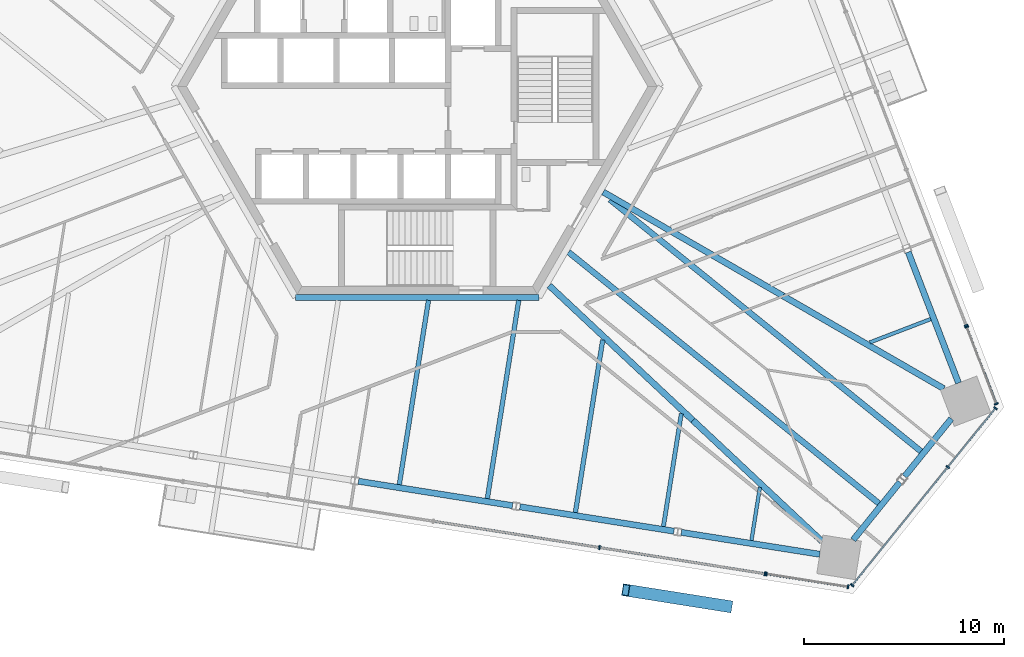
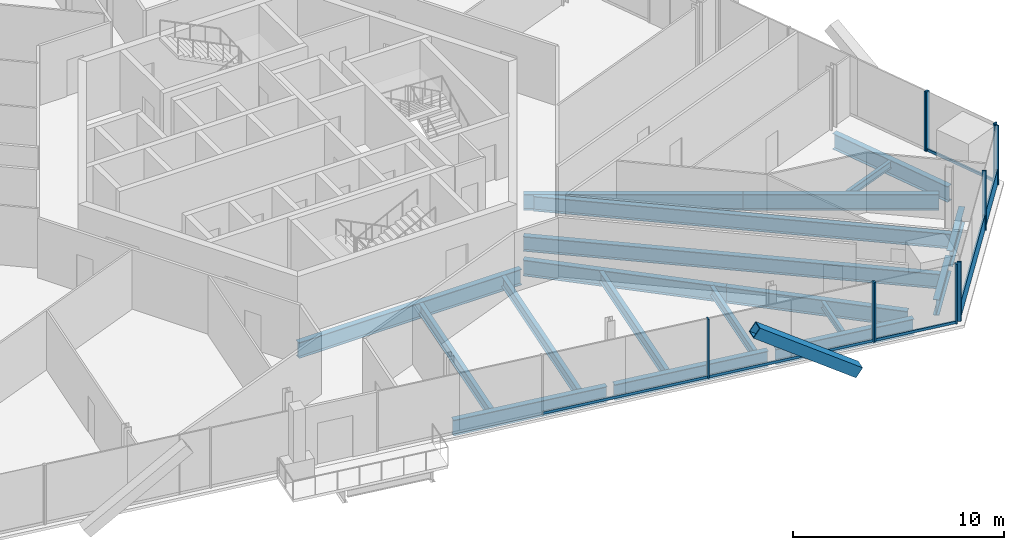
# One storey, part 6 of 19: 19 beams, 17 members, 5 elements without a shape of their own.
"""IFC4 building model written with IfcOpenShell, lengths in metres."""

import ifcopenshell
import ifcopenshell.guid

model = None  # the IFC model being written
_history = None  # IfcOwnerHistory: only IFC2X3 demands one
_inside = {}  # id of a spatial element -> (the spatial element, [elements in it])
_under = {}  # id of a project, library or spatial element -> (it, [spatial elements below it])
_declared = {}  # id of a project -> (the project, [libraries it declares])
_typed = {}  # id of a type object -> (the type object, [elements of that type])
_made_of = {}  # id of a material, layer set ... -> (it, [elements and type objects made of it])


def new_model(schema):
    """Start an empty IFC model of exactly this schema.

    Asked for "IFC4X3", IfcOpenShell would pick the latest addendum, in which some entities
    have other attributes; the version numbers below select the first issue.
    IFC2X3 requires an IfcOwnerHistory on every rooted entity: one is made here for all.
    """
    global model, _history
    if schema == "IFC4X3":
        model = ifcopenshell.file(schema_version=(4, 3, 0, 0))
    else:
        model = ifcopenshell.file(schema=schema)
    _inside.clear()
    _under.clear()
    _declared.clear()
    _typed.clear()
    _made_of.clear()
    _history = None
    if model.schema == "IFC2X3":
        org = make("IfcOrganization", Name="unknown")
        user = make(
            "IfcPersonAndOrganization",
            ThePerson=make("IfcPerson", FamilyName="unknown"),
            TheOrganization=org,
        )
        app = make(
            "IfcApplication",
            ApplicationDeveloper=org,
            Version="unknown",
            ApplicationFullName="unknown",
            ApplicationIdentifier="unknown",
        )
        _history = make(
            "IfcOwnerHistory",
            OwningUser=user,
            OwningApplication=app,
            ChangeAction="ADDED",
            CreationDate=0,
        )
    return model


def make(cls, **values):
    """One entity of the class cls with the attributes given. An attribute that is None is left unset."""
    return model.create_entity(
        cls, **{name: value for name, value in values.items() if value is not None}
    )


def rooted(cls, **values):
    """An entity with a GlobalId (a new one), such as an element, a storey or a relation."""
    return make(cls, GlobalId=ifcopenshell.guid.new(), OwnerHistory=_history, **values)


def si_unit(unit_type, name, prefix=None):
    """IfcSIUnit, for example si_unit("LENGTHUNIT", "METRE", prefix="MILLI")."""
    return make("IfcSIUnit", UnitType=unit_type, Prefix=prefix, Name=name)


def assignment(units):
    """IfcUnitAssignment: the units of a project."""
    return None if units is None else make("IfcUnitAssignment", Units=units)


def point(xyz):
    """IfcCartesianPoint."""
    return None if xyz is None else make("IfcCartesianPoint", Coordinates=xyz)


def direction(xyz):
    """IfcDirection."""
    return None if xyz is None else make("IfcDirection", DirectionRatios=xyz)


def frame(location, z_axis=None, x_axis=None):
    """IfcAxis2Placement3D, a coordinate frame: its origin and axes. An axis left out is left unset."""
    return make(
        "IfcAxis2Placement3D",
        Location=point(location),
        Axis=direction(z_axis),
        RefDirection=direction(x_axis),
    )


def frame_2d(location, x_axis=None):
    """IfcAxis2Placement2D, a coordinate frame in the plane: its origin and x axis."""
    return make(
        "IfcAxis2Placement2D", Location=point(location), RefDirection=direction(x_axis)
    )


def origin():
    """The frame at (0, 0, 0) with its axes left unset."""
    return frame((0.0, 0.0, 0.0))


def origin_2d():
    """The frame at (0, 0) in the plane with its x axis left unset."""
    return frame_2d((0.0, 0.0))


def place(relative_to, where):
    """IfcLocalPlacement: puts the frame where relative to a parent placement (None: the world)."""
    return make(
        "IfcLocalPlacement", PlacementRelTo=relative_to, RelativePlacement=where
    )


def context(
    kind, dimensions, precision=None, world=None, true_north=None, identifier=None
):
    """IfcGeometricRepresentationContext, for example the 3D "Model" context."""
    return make(
        "IfcGeometricRepresentationContext",
        ContextIdentifier=identifier,
        ContextType=kind,
        CoordinateSpaceDimension=dimensions,
        Precision=precision,
        WorldCoordinateSystem=world,
        TrueNorth=true_north,
    )


def subcontext(parent, identifier, kind, view, scale=None):
    """IfcGeometricRepresentationSubContext, for example "Body" below "Model"."""
    return make(
        "IfcGeometricRepresentationSubContext",
        ContextIdentifier=identifier,
        ContextType=kind,
        ParentContext=parent,
        TargetScale=scale,
        TargetView=view,
    )


def project(units=None, contexts=None):
    """IfcProject with its units and contexts."""
    return rooted(
        "IfcProject",
        Name="project",
        RepresentationContexts=contexts,
        UnitsInContext=assignment(units),
    )


def spatial(cls, under=None, at=None, **own):
    """A site, building, storey or space (cls), placed at a placement, below another one or the project."""
    s = rooted(cls, ObjectPlacement=at, **own)
    if under is not None:
        _under.setdefault(under.id(), (under, []))[1].append(s)
    return s


def profile(cls, at=None, kind="AREA", **sizes):
    """A parametric profile (cls). Its sizes go by their IFC names, for example OverallWidth=200.0."""
    return make(cls, ProfileType=kind, Position=at, **sizes)


def rectangle(**sizes):
    """IfcRectangleProfileDef."""
    return profile("IfcRectangleProfileDef", **sizes)


def hollow_rectangle(**sizes):
    """IfcRectangleHollowProfileDef."""
    return profile("IfcRectangleHollowProfileDef", **sizes)


def i_section(**sizes):
    """IfcIShapeProfileDef."""
    return profile("IfcIShapeProfileDef", **sizes)


def extrude(swept, where, along, depth):
    """IfcExtrudedAreaSolid: the profile swept, set in the frame where, extruded along a direction by depth."""
    return make(
        "IfcExtrudedAreaSolid",
        SweptArea=swept,
        Position=where,
        ExtrudedDirection=direction(along),
        Depth=depth,
    )


def shape(context_of_items, identifier, shape_type, items):
    """IfcShapeRepresentation: the items that make up one representation, for example the "Body"."""
    return make(
        "IfcShapeRepresentation",
        ContextOfItems=context_of_items,
        RepresentationIdentifier=identifier,
        RepresentationType=shape_type,
        Items=items,
    )


def source(mapping_origin, context_of_items, identifier, shape_type, items):
    """IfcRepresentationMap: a shape defined once, which mapped items show again and again."""
    return make(
        "IfcRepresentationMap",
        MappingOrigin=mapping_origin,
        MappedRepresentation=shape(context_of_items, identifier, shape_type, items),
    )


def transform(
    local_origin,
    x_axis=None,
    y_axis=None,
    z_axis=None,
    scale=None,
    scale2=None,
    scale3=None,
    uniform=True,
):
    """IfcCartesianTransformationOperator3D, or its non-uniform kind. x_axis, y_axis, z_axis: its Axis1, 2, 3."""
    if uniform:
        return make(
            "IfcCartesianTransformationOperator3D",
            Axis1=direction(x_axis),
            Axis2=direction(y_axis),
            LocalOrigin=point(local_origin),
            Scale=scale,
            Axis3=direction(z_axis),
        )
    return make(
        "IfcCartesianTransformationOperator3DnonUniform",
        Axis1=direction(x_axis),
        Axis2=direction(y_axis),
        LocalOrigin=point(local_origin),
        Scale=scale,
        Axis3=direction(z_axis),
        Scale2=scale2,
        Scale3=scale3,
    )


def mapped(mapping_source, mapping_target):
    """IfcMappedItem: shows the shape of a source again, moved by a transform."""
    return make(
        "IfcMappedItem", MappingSource=mapping_source, MappingTarget=mapping_target
    )


def material(Name=None, Category=None):
    """IfcMaterial."""
    return make("IfcMaterial", Name=Name, Category=Category)


def material_profile(
    of_material, cross_section, Name=None, Category=None, Priority=None
):
    """IfcMaterialProfile: a cross section and its material."""
    return make(
        "IfcMaterialProfile",
        Name=Name,
        Material=of_material,
        Profile=cross_section,
        Priority=Priority,
        Category=Category,
    )


def profile_set(profiles, Name=None, composite=None):
    """IfcMaterialProfileSet."""
    return make(
        "IfcMaterialProfileSet",
        Name=Name,
        MaterialProfiles=profiles,
        CompositeProfile=composite,
    )


def made_of(thing, what):
    """Note that an element or type object is made of a material, layer set ...; save() writes the relation."""
    if what is not None:
        _made_of.setdefault(what.id(), (what, []))[1].append(thing)
    return thing


def type_object(cls, material=None, **own):
    """A type object (cls), such as IfcWallType, which elements share."""
    return made_of(rooted(cls, **own), material)


def element(
    cls,
    number,
    at=None,
    inside=None,
    cuts=None,
    type_object=None,
    material=None,
    context=None,
    identifier="Body",
    shape_type=None,
    held_by="IfcProductDefinitionShape",
    body=None,
    shapes=None,
    **own,
):
    """One element of the class cls, such as IfcWall. Its Tag is "e" and its number.

    at: its placement. inside: the storey or other place that contains it. cuts: it is an
    opening in that element (IfcRelVoidsElement). A single representation is given by context,
    identifier, shape_type and body (its items); several are given by shapes. held_by: the class
    of the entity that holds the representations. save() writes the other relations.
    """
    e = rooted(cls, Tag="e%d" % number, ObjectPlacement=at, **own)
    if body is not None:
        shapes = [shape(context, identifier, shape_type, body)]
    if shapes is not None:
        e.Representation = make(held_by, Representations=shapes)
    if inside is not None:
        _inside.setdefault(inside.id(), (inside, []))[1].append(e)
    if cuts is not None:
        rooted(
            "IfcRelVoidsElement", RelatingBuildingElement=cuts, RelatedOpeningElement=e
        )
    if type_object is not None:
        _typed.setdefault(type_object.id(), (type_object, []))[1].append(e)
    return made_of(e, material)


def aggregate(whole, parts):
    """IfcRelAggregates: a whole, such as a stair, and the parts it consists of."""
    return rooted("IfcRelAggregates", RelatingObject=whole, RelatedObjects=parts)


def save(model, path):
    """Write the relations noted so far, then the file.

    IfcRelAggregates (storeys below a building ...), IfcRelContainedInSpatialStructure (elements
    in a storey), IfcRelDefinesByType, IfcRelAssociatesMaterial and IfcRelDeclares: one each for
    every whole, place, type object, material and project.
    """
    for whole, parts in _under.values():
        aggregate(whole, parts)
    for where, things in _inside.values():
        rooted(
            "IfcRelContainedInSpatialStructure",
            RelatedElements=things,
            RelatingStructure=where,
        )
    for kind, things in _typed.values():
        rooted("IfcRelDefinesByType", RelatedObjects=things, RelatingType=kind)
    for what, things in _made_of.values():
        rooted("IfcRelAssociatesMaterial", RelatedObjects=things, RelatingMaterial=what)
    for by, libraries in _declared.values():
        rooted("IfcRelDeclares", RelatingContext=by, RelatedDefinitions=libraries)
    model.write(path)


model = new_model("IFC4")

# Units and contexts
model_context = context("Model", 3, precision=1e-05, world=origin(), true_north=direction((0.0, 1.0)))
body_context = subcontext(model_context, "Body", "Model", "MODEL_VIEW")
ifc_project = project(units=[si_unit("LENGTHUNIT", "METRE"), si_unit("AREAUNIT", "SQUARE_METRE"), si_unit("VOLUMEUNIT", "CUBIC_METRE"), si_unit("PLANEANGLEUNIT", "RADIAN"), si_unit("MASSUNIT", "GRAM", prefix="KILO")], contexts=[model_context])

# Site, building, storey
site_placement = place(None, origin())
site = spatial("IfcSite", under=ifc_project, at=site_placement, CompositionType="ELEMENT")
building_placement = place(site_placement, origin())
building = spatial("IfcBuilding", under=site, at=building_placement, Name="Triune Harvest Tower", CompositionType="ELEMENT")
storey_placement = place(building_placement, frame((0.0, 0.0, 142.5)))
storey = spatial("IfcBuildingStorey", under=building, at=storey_placement, Name="L36", CompositionType="ELEMENT", Elevation=142.5)

# Curtain wall, member
ifc_material_1 = material(Name="Aluminium bronze anodised", Category="aluminium")
curtain_wall_type_1 = type_object("IfcCurtainWallType", Name="CW-6 Balcony window wall", PredefinedType="NOTDEFINED", material=ifc_material_1)
curtain_wall_1_placement = place(storey_placement, origin())
curtain_wall_1 = element("IfcCurtainWall", 1, at=curtain_wall_1_placement, inside=storey, type_object=curtain_wall_type_1, Name="CW-6 B4-F5 L36 run 1002")
ifc_material_2 = material(Name="Aluminium bronze anodised", Category="aluminium")
ifc_material_profile_1 = material_profile(ifc_material_2, rectangle(XDim=0.090087890625, YDim=0.14990234375, at=origin_2d()), Name="TR-6 transom 90 x 150")
ifc_profile_set_1 = profile_set([ifc_material_profile_1], Name="Aluminium bronze anodised")
member_type_1 = type_object("IfcMemberType", Name="TR-6 transom 90 x 150", PredefinedType="USERDEFINED", material=ifc_profile_set_1)
member_1_placement = place(storey_placement, frame((17.503662109375, -24.38916015625, 0.074951171875), z_axis=(0.987691647021, -0.156413587663, 0.0), x_axis=(0.156413587663, 0.987691647021, 0.0)))
member_1 = element("IfcMember", 2, at=member_1_placement, type_object=member_type_1, Name="CW-6 transom B4-F5 1002.1", ObjectType="TRANSOM", PredefinedType="USERDEFINED", context=body_context, shape_type="SweptSolid", body=[
    extrude(rectangle(XDim=0.090087890625, YDim=0.14990234375, at=origin_2d()), origin(), (0.0, 0.0, 1.0), 4.058349609375),
])

# Beams
ifc_material_3 = material(Name="Steel ASTM A992 Gr 50", Category="steel")
ifc_material_profile_2 = material_profile(ifc_material_3, i_section(OverallWidth=0.3046875, OverallDepth=0.914306640625, WebThickness=0.0166015625, FlangeThickness=0.02587890625, at=origin_2d()), Name="W36x160")
ifc_profile_set_2 = profile_set([ifc_material_profile_2], Name="Steel ASTM A992 Gr 50")
beam_type_1 = type_object("IfcBeamType", Name="CG-1 Core ring girder W36x160", PredefinedType="BEAM", material=ifc_profile_set_2)
shared_shape_1 = source(origin(), body_context, "Body", "SweptSolid", [
    extrude(i_section(OverallWidth=0.3046875, OverallDepth=0.914306640625, WebThickness=0.0166015625, FlangeThickness=0.02587890625, at=origin_2d()), origin(), (0.0, 0.0, 1.0), 12.17578125),
])
beam_1_placement = place(storey_placement, frame((-6.087890625, -10.544677734375, -0.6171875), z_axis=(1.0, 0.0, 0.0), x_axis=(0.0, 1.0, 0.0)))
element("IfcBeam", 3, at=beam_1_placement, inside=storey, type_object=beam_type_1, Name="beam/L36/CG5", PredefinedType="BEAM", context=body_context, shape_type="MappedRepresentation", body=[
    mapped(shared_shape_1, transform((0.0, 0.0, 0.0), scale=1.0)),
])
ifc_material_4 = material(Name="Steel ASTM A992 Gr 50", Category="steel")
ifc_material_profile_3 = material_profile(ifc_material_4, i_section(OverallWidth=0.307373046875, OverallDepth=0.922119140625, WebThickness=0.018310546875, FlangeThickness=0.030029296875, at=origin_2d()), Name="W36x182")
ifc_profile_set_3 = profile_set([ifc_material_profile_3], Name="Steel ASTM A992 Gr 50")
beam_type_2 = type_object("IfcBeamType", Name="HG-2 Hip girder W36x182", PredefinedType="BEAM", material=ifc_profile_set_3)
shared_shape_2 = source(origin(), body_context, "Body", "SweptSolid", [
    extrude(i_section(OverallWidth=0.307373046875, OverallDepth=0.922119140625, WebThickness=0.018310546875, FlangeThickness=0.030029296875, at=origin_2d()), origin(), (0.0, 0.0, 1.0), 10.38623046875),
])
beam_2_placement = place(storey_placement, frame((18.29833984375, -10.47314453125, -0.62109375), z_axis=(-0.866022743272, 0.500004608114, 0.0), x_axis=(-0.500004608114, -0.866022743272, 0.0)))
element("IfcBeam", 4, at=beam_2_placement, inside=storey, type_object=beam_type_2, Name="beam/L36/HG2", PredefinedType="BEAM", context=body_context, shape_type="MappedRepresentation", body=[
    mapped(shared_shape_2, transform((0.0, 0.0, 0.0), scale=1.0)),
])
shared_shape_3 = source(origin(), body_context, "Body", "SweptSolid", [
    extrude(i_section(OverallWidth=0.307373046875, OverallDepth=0.922119140625, WebThickness=0.018310546875, FlangeThickness=0.030029296875, at=origin_2d()), origin(), (0.0, 0.0, 1.0), 9.85888671875),
])
beam_3_placement = place(storey_placement, frame((13.794189453125, -16.702392578125, -0.62109375), z_axis=(-0.729486233367, 0.683995493646, 0.0), x_axis=(-0.683995493646, -0.729486233367, 0.0)))
element("IfcBeam", 5, at=beam_3_placement, inside=storey, type_object=beam_type_2, Name="beam/L36/HG8", PredefinedType="BEAM", context=body_context, shape_type="MappedRepresentation", body=[
    mapped(shared_shape_3, transform((0.0, 0.0, 0.0), scale=1.0)),
])
ifc_material_5 = material(Name="Steel ASTM A992 Gr 50", Category="steel")
ifc_material_profile_4 = material_profile(ifc_material_5, i_section(OverallWidth=0.3046875, OverallDepth=0.914306640625, WebThickness=0.0166015625, FlangeThickness=0.02587890625, at=origin_2d()), Name="W36x160")
ifc_profile_set_4 = profile_set([ifc_material_profile_4], Name="Steel ASTM A992 Gr 50")
beam_type_3 = type_object("IfcBeamType", Name="SB-1 Spandrel beam W36x160", PredefinedType="SPANDREL", material=ifc_profile_set_4)
shared_shape_4 = source(origin(), body_context, "Body", "SweptSolid", [
    extrude(i_section(OverallWidth=0.3046875, OverallDepth=0.914306640625, WebThickness=0.0166015625, FlangeThickness=0.02587890625, at=origin_2d()), origin(), (0.0, 0.0, 1.0), 7.013427734375),
])
for number, where, z_axis, x_axis, name in (
    (6, (27.07568359375, -14.832275390625, -0.6171875), (-0.358372513984, 0.93357867436, 0.0), (-0.93357867436, -0.358372513984, 0.0), "beam/L36/SB1"),
    (7, (13.210205078125, -22.302978515625, -0.6171875), (0.987687489289, -0.156439839878, 0.0), (0.156439839878, 0.987687489289, 0.0), "beam/L36/SB22"),
):
    element("IfcBeam", number, at=place(storey_placement, frame(where, z_axis=z_axis, x_axis=x_axis)), inside=storey, type_object=beam_type_3, Name=name, PredefinedType="SPANDREL", context=body_context, shape_type="MappedRepresentation", body=[
        mapped(shared_shape_4, transform((0.0, 0.0, 0.0), scale=1.0)),
    ])
shared_shape_5 = source(origin(), body_context, "Body", "SweptSolid", [
    extrude(i_section(OverallWidth=0.3046875, OverallDepth=0.914306640625, WebThickness=0.0166015625, FlangeThickness=0.02587890625, at=origin_2d()), origin(), (0.0, 0.0, 1.0), 3.71240234375),
])
beam_4_placement = place(storey_placement, frame((21.808837890625, -22.677734375, -0.6171875), z_axis=(0.629351453127, 0.777120806855, 0.0), x_axis=(-0.777120806855, 0.629351453127, 0.0)))
element("IfcBeam", 8, at=beam_4_placement, inside=storey, type_object=beam_type_3, Name="beam/L36/SB23", PredefinedType="SPANDREL", context=body_context, shape_type="MappedRepresentation", body=[
    mapped(shared_shape_5, transform((0.0, 0.0, 0.0), scale=1.0)),
])
shared_shape_6 = source(origin(), body_context, "Body", "SweptSolid", [
    extrude(i_section(OverallWidth=0.3046875, OverallDepth=0.914306640625, WebThickness=0.0166015625, FlangeThickness=0.02587890625, at=origin_2d()), origin(), (0.0, 0.0, 1.0), 7.801513671875),
])
beam_5_placement = place(storey_placement, frame((5.135986328125, -21.024169921875, -0.6171875), z_axis=(0.98768800071, -0.156436610974, 0.0), x_axis=(0.156436610974, 0.98768800071, 0.0)))
element("IfcBeam", 9, at=beam_5_placement, inside=storey, type_object=beam_type_3, Name="beam/L36/SB21", PredefinedType="SPANDREL", context=body_context, shape_type="MappedRepresentation", body=[
    mapped(shared_shape_6, transform((0.0, 0.0, 0.0), scale=1.0)),
])
shared_shape_7 = source(origin(), body_context, "Body", "SweptSolid", [
    extrude(i_section(OverallWidth=0.3046875, OverallDepth=0.914306640625, WebThickness=0.0166015625, FlangeThickness=0.02587890625, at=origin_2d()), origin(), (0.0, 0.0, 1.0), 3.712646484375),
])
beam_6_placement = place(storey_placement, frame((24.380126953125, -19.50244140625, -0.6171875), z_axis=(0.629319290748, 0.777146852462, 0.0), x_axis=(-0.777146852462, 0.629319290748, 0.0)))
element("IfcBeam", 10, at=beam_6_placement, inside=storey, type_object=beam_type_3, Name="beam/L36/SB24", PredefinedType="SPANDREL", context=body_context, shape_type="MappedRepresentation", body=[
    mapped(shared_shape_7, transform((0.0, 0.0, 0.0), scale=1.0)),
])
shared_shape_8 = source(origin(), body_context, "Body", "SweptSolid", [
    extrude(i_section(OverallWidth=0.3046875, OverallDepth=0.914306640625, WebThickness=0.0166015625, FlangeThickness=0.02587890625, at=origin_2d()), origin(), (0.0, 0.0, 1.0), 7.80126953125),
])
beam_7_placement = place(storey_placement, frame((-2.938232421875, -19.745361328125, -0.6171875), z_axis=(0.987687234845, -0.15644144631, 0.0), x_axis=(0.15644144631, 0.987687234845, 0.0)))
element("IfcBeam", 11, at=beam_7_placement, inside=storey, type_object=beam_type_3, Name="beam/L36/SB20", PredefinedType="SPANDREL", context=body_context, shape_type="MappedRepresentation", body=[
    mapped(shared_shape_8, transform((0.0, 0.0, 0.0), scale=1.0)),
])
shared_shape_9 = source(origin(), body_context, "Body", "SweptSolid", [
    extrude(i_section(OverallWidth=0.307373046875, OverallDepth=0.922119140625, WebThickness=0.018310546875, FlangeThickness=0.030029296875, at=origin_2d()), origin(), (0.0, 0.0, 1.0), 9.28369140625),
])
beam_8_placement = place(storey_placement, frame((26.33837890625, -15.114990234375, -0.62109375), z_axis=(-0.86602880926, 0.499994101496, 0.0), x_axis=(-0.499994101496, -0.86602880926, 0.0)))
element("IfcBeam", 12, at=beam_8_placement, inside=storey, type_object=beam_type_2, Name="beam/L36/HG1", PredefinedType="BEAM", context=body_context, shape_type="MappedRepresentation", body=[
    mapped(shared_shape_9, transform((0.0, 0.0, 0.0), scale=1.0)),
])
shared_shape_10 = source(origin(), body_context, "Body", "SweptSolid", [
    extrude(i_section(OverallWidth=0.307373046875, OverallDepth=0.922119140625, WebThickness=0.018310546875, FlangeThickness=0.030029296875, at=origin_2d()), origin(), (0.0, 0.0, 1.0), 8.8369140625),
])
beam_9_placement = place(storey_placement, frame((20.24072265625, -22.746826171875, -0.62109375), z_axis=(-0.729491540387, 0.683989833626, 0.0), x_axis=(-0.683989833626, -0.729491540387, 0.0)))
element("IfcBeam", 13, at=beam_9_placement, inside=storey, type_object=beam_type_2, Name="beam/L36/HG7", PredefinedType="BEAM", context=body_context, shape_type="MappedRepresentation", body=[
    mapped(shared_shape_10, transform((0.0, 0.0, 0.0), scale=1.0)),
])
ifc_material_6 = material(Name="Steel ASTM A992 Gr 50", Category="steel")
ifc_material_profile_5 = material_profile(ifc_material_6, i_section(OverallWidth=0.180908203125, OverallDepth=0.41650390625, WebThickness=0.010986328125, FlangeThickness=0.01806640625, at=origin_2d()), Name="W16x57")
ifc_profile_set_5 = profile_set([ifc_material_profile_5], Name="Steel ASTM A992 Gr 50")
beam_type_4 = type_object("IfcBeamType", Name="JT-1 Floor joist W16x57", PredefinedType="JOIST", material=ifc_profile_set_5)
shared_shape_11 = source(origin(), body_context, "Body", "SweptSolid", [
    extrude(i_section(OverallWidth=0.180908203125, OverallDepth=0.41650390625, WebThickness=0.010986328125, FlangeThickness=0.01806640625, at=origin_2d()), origin(), (0.0, 0.0, 1.0), 3.260986328125),
])
beam_10_placement = place(storey_placement, frame((25.684814453125, -11.634033203125, -0.368408203125), z_axis=(-0.933600075775, -0.35831675723, 0.0), x_axis=(0.35831675723, -0.933600075775, 0.0)))
element("IfcBeam", 14, at=beam_10_placement, inside=storey, type_object=beam_type_4, Name="beam/L36/JT1", PredefinedType="JOIST", context=body_context, shape_type="MappedRepresentation", body=[
    mapped(shared_shape_11, transform((0.0, 0.0, 0.0), scale=1.0)),
])
ifc_material_7 = material(Name="Steel ASTM A992 Gr 50", Category="steel")
ifc_material_profile_6 = material_profile(ifc_material_7, i_section(OverallWidth=0.2919921875, OverallDepth=0.8583984375, WebThickness=0.01708984375, FlangeThickness=0.031005859375, at=origin_2d()), Name="W33x169")
ifc_profile_set_6 = profile_set([ifc_material_profile_6], Name="Steel ASTM A992 Gr 50")
beam_type_5 = type_object("IfcBeamType", Name="JT-7 Floor joist W33x169", PredefinedType="JOIST", material=ifc_profile_set_6)
shared_shape_12 = source(origin(), body_context, "Body", "SweptSolid", [
    extrude(i_section(OverallWidth=0.2919921875, OverallDepth=0.8583984375, WebThickness=0.01708984375, FlangeThickness=0.031005859375, at=origin_2d()), origin(), (0.0, 0.0, 1.0), 19.97216796875),
])
beam_11_placement = place(storey_placement, frame((23.090087890625, -20.853515625, -0.58935546875), z_axis=(-0.777140102023, 0.629327626779, 0.0), x_axis=(-0.629327626779, -0.777140102023, 0.0)))
element("IfcBeam", 15, at=beam_11_placement, inside=storey, type_object=beam_type_5, Name="beam/L36/JT35", PredefinedType="JOIST", context=body_context, shape_type="MappedRepresentation", body=[
    mapped(shared_shape_12, transform((0.0, 0.0, 0.0), scale=1.0)),
])
shared_shape_13 = source(origin(), body_context, "Body", "SweptSolid", [
    extrude(i_section(OverallWidth=0.2919921875, OverallDepth=0.8583984375, WebThickness=0.01708984375, FlangeThickness=0.031005859375, at=origin_2d()), origin(), (0.0, 0.0, 1.0), 20.01611328125),
])
beam_12_placement = place(storey_placement, frame((25.198486328125, -18.25, -0.58935546875), z_axis=(-0.777142320664, 0.629324887028, 0.0), x_axis=(-0.629324887028, -0.777142320664, 0.0)))
element("IfcBeam", 16, at=beam_12_placement, inside=storey, type_object=beam_type_5, Name="beam/L36/JT36", PredefinedType="JOIST", context=body_context, shape_type="MappedRepresentation", body=[
    mapped(shared_shape_13, transform((0.0, 0.0, 0.0), scale=1.0)),
])
ifc_material_8 = material(Name="Steel ASTM A992 Gr 50", Category="steel")
ifc_material_profile_7 = material_profile(ifc_material_8, i_section(OverallWidth=0.22900390625, OverallDepth=0.612060546875, WebThickness=0.011962890625, FlangeThickness=0.01953125, at=origin_2d()), Name="W24x84")
ifc_profile_set_7 = profile_set([ifc_material_profile_7], Name="Steel ASTM A992 Gr 50")
beam_type_6 = type_object("IfcBeamType", Name="JT-3 Floor joist W24x84", PredefinedType="JOIST", material=ifc_profile_set_7)
shared_shape_14 = source(origin(), body_context, "Body", "SweptSolid", [
    extrude(i_section(OverallWidth=0.22900390625, OverallDepth=0.612060546875, WebThickness=0.011962890625, FlangeThickness=0.01953125, at=origin_2d()), origin(), (0.0, 0.0, 1.0), 9.332275390625),
])
beam_13_placement = place(storey_placement, frame((-0.896728515625, -19.914306640625, -0.466064453125), z_axis=(0.156417974358, 0.987690952321, 0.0), x_axis=(-0.987690952321, 0.156417974358, 0.0)))
element("IfcBeam", 17, at=beam_13_placement, inside=storey, type_object=beam_type_6, Name="beam/L36/JT30", PredefinedType="JOIST", context=body_context, shape_type="MappedRepresentation", body=[
    mapped(shared_shape_14, transform((0.0, 0.0, 0.0), scale=1.0)),
])
shared_shape_15 = source(origin(), body_context, "Body", "SweptSolid", [
    extrude(i_section(OverallWidth=0.22900390625, OverallDepth=0.612060546875, WebThickness=0.011962890625, FlangeThickness=0.01953125, at=origin_2d()), origin(), (0.0, 0.0, 1.0), 10.03857421875),
])
beam_14_placement = place(storey_placement, frame((3.50732421875, -20.612060546875, -0.466064453125), z_axis=(0.156427136615, 0.987689501276, 0.0), x_axis=(-0.987689501276, 0.156427136615, 0.0)))
element("IfcBeam", 18, at=beam_14_placement, inside=storey, type_object=beam_type_6, Name="beam/L36/JT31", PredefinedType="JOIST", context=body_context, shape_type="MappedRepresentation", body=[
    mapped(shared_shape_15, transform((0.0, 0.0, 0.0), scale=1.0)),
])
shared_shape_16 = source(origin(), body_context, "Body", "SweptSolid", [
    extrude(i_section(OverallWidth=0.22900390625, OverallDepth=0.612060546875, WebThickness=0.011962890625, FlangeThickness=0.01953125, at=origin_2d()), origin(), (0.0, 0.0, 1.0), 8.73828125),
])
beam_15_placement = place(storey_placement, frame((7.91162109375, -21.3095703125, -0.466064453125), z_axis=(0.156433147227, 0.987688549315, 0.0), x_axis=(-0.987688549315, 0.156433147227, 0.0)))
element("IfcBeam", 19, at=beam_15_placement, inside=storey, type_object=beam_type_6, Name="beam/L36/JT32", PredefinedType="JOIST", context=body_context, shape_type="MappedRepresentation", body=[
    mapped(shared_shape_16, transform((0.0, 0.0, 0.0), scale=1.0)),
])
ifc_material_9 = material(Name="Steel ASTM A992 Gr 50", Category="steel")
ifc_material_profile_8 = material_profile(ifc_material_9, i_section(OverallWidth=0.2099609375, OverallDepth=0.535888671875, WebThickness=0.010986328125, FlangeThickness=0.017333984375, at=origin_2d()), Name="W21x68")
ifc_profile_set_8 = profile_set([ifc_material_profile_8], Name="Steel ASTM A992 Gr 50")
beam_type_7 = type_object("IfcBeamType", Name="JT-2 Floor joist W21x68", PredefinedType="JOIST", material=ifc_profile_set_8)
shared_shape_17 = source(origin(), body_context, "Body", "SweptSolid", [
    extrude(i_section(OverallWidth=0.2099609375, OverallDepth=0.535888671875, WebThickness=0.010986328125, FlangeThickness=0.017333984375, at=origin_2d()), origin(), (0.0, 0.0, 1.0), 5.712646484375),
])
beam_16_placement = place(storey_placement, frame((12.315673828125, -22.007080078125, -0.427978515625), z_axis=(0.156458528862, 0.98768452896, 0.0), x_axis=(-0.98768452896, 0.156458528862, 0.0)))
element("IfcBeam", 20, at=beam_16_placement, inside=storey, type_object=beam_type_7, Name="beam/L36/JT33", PredefinedType="JOIST", context=body_context, shape_type="MappedRepresentation", body=[
    mapped(shared_shape_17, transform((0.0, 0.0, 0.0), scale=1.0)),
])
shared_shape_18 = source(origin(), body_context, "Body", "SweptSolid", [
    extrude(i_section(OverallWidth=0.180908203125, OverallDepth=0.41650390625, WebThickness=0.010986328125, FlangeThickness=0.01806640625, at=origin_2d()), origin(), (0.0, 0.0, 1.0), 2.6875),
])
beam_17_placement = place(storey_placement, frame((16.719970703125, -22.70458984375, -0.368408203125), z_axis=(0.156438396813, 0.987687717856, 0.0), x_axis=(-0.987687717856, 0.156438396813, 0.0)))
element("IfcBeam", 21, at=beam_17_placement, inside=storey, type_object=beam_type_4, Name="beam/L36/JT34", PredefinedType="JOIST", context=body_context, shape_type="MappedRepresentation", body=[
    mapped(shared_shape_18, transform((0.0, 0.0, 0.0), scale=1.0)),
])

# Member
ifc_material_10 = material(Name="Steel ASTM A572 Gr 50", Category="steel")
ifc_material_profile_9 = material_profile(ifc_material_10, hollow_rectangle(XDim=0.60009765625, YDim=0.60009765625, WallThickness=0.0400390625, at=origin_2d()), Name="Box 600x600x40")
ifc_profile_set_9 = profile_set([ifc_material_profile_9], Name="Steel ASTM A572 Gr 50")
member_type_2 = type_object("IfcMemberType", Name="BR-2 Brace Box 600x600x40", PredefinedType="BRACE", material=ifc_profile_set_9)
shared_shape_19 = source(origin(), body_context, "Body", "SweptSolid", [
    extrude(hollow_rectangle(XDim=0.60009765625, YDim=0.60009765625, WallThickness=0.0400390625, at=origin_2d()), origin(), (0.0, 0.0, 1.0), 6.329345703125),
])
member_2_placement = place(storey_placement, frame((15.572998046875, -26.0068359375, 0.0), z_axis=(-0.812352534668, 0.128641771278, 0.568801067247), x_axis=(-0.156408097916, -0.987692516377, 0.0)))
element("IfcMember", 22, at=member_2_placement, inside=storey, type_object=member_type_2, Name="brace/B4-F5/d2/2", PredefinedType="BRACE", context=body_context, shape_type="MappedRepresentation", body=[
    mapped(shared_shape_19, transform((0.0, 0.0, 0.0), scale=1.0)),
])

# Curtain wall, members
ifc_material_11 = material(Name="Aluminium bronze anodised", Category="aluminium")
curtain_wall_type_2 = type_object("IfcCurtainWallType", Name="CW-1 Tower stick curtain wall", PredefinedType="NOTDEFINED", material=ifc_material_11)
curtain_wall_2_placement = place(storey_placement, origin())
curtain_wall_2 = element("IfcCurtainWall", 23, at=curtain_wall_2_placement, inside=storey, type_object=curtain_wall_type_2, Name="CW-1 B4-F6 L36 run 1")
ifc_material_12 = material(Name="Aluminium bronze anodised", Category="aluminium")
ifc_material_profile_10 = material_profile(ifc_material_12, rectangle(XDim=0.199951171875, YDim=0.074951171875, at=origin_2d()), Name="MU-1 mullion 75 x 200")
ifc_profile_set_10 = profile_set([ifc_material_profile_10], Name="Aluminium bronze anodised")
member_type_3 = type_object("IfcMemberType", Name="MU-1 mullion 75 x 200", PredefinedType="MULLION", material=ifc_profile_set_10)
shared_shape_20 = source(origin(), body_context, "Body", "SweptSolid", [
    extrude(rectangle(XDim=0.199951171875, YDim=0.074951171875, at=origin_2d()), origin(), (0.0, 0.0, 1.0), 3.43994140625),
])
member_3_placement = place(storey_placement, frame((21.755126953125, -24.95068359375, 0.0), z_axis=(0.0, 0.0, 1.0), x_axis=(-0.777145544932, 0.629320905414, 0.0)))
member_3 = element("IfcMember", 24, at=member_3_placement, type_object=member_type_3, Name="CW-1 mullion B4-F6 1.1", PredefinedType="MULLION", context=body_context, shape_type="MappedRepresentation", body=[
    mapped(shared_shape_20, transform((0.0, 0.0, 0.0), scale=1.0)),
])
member_4_placement = place(storey_placement, frame((26.54541015625, -19.035400390625, 0.0), z_axis=(0.0, 0.0, 1.0), x_axis=(-0.777145544932, 0.629320905414, 0.0)))
member_4 = element("IfcMember", 25, at=member_4_placement, type_object=member_type_3, Name="CW-1 mullion B4-F6 1.3", PredefinedType="MULLION", context=body_context, shape_type="MappedRepresentation", body=[
    mapped(shared_shape_20, transform((0.0, 0.0, 0.0), scale=1.0)),
])
member_5_placement = place(storey_placement, frame((28.9287109375, -16.09228515625, 0.0), z_axis=(0.0, 0.0, 1.0), x_axis=(-0.777145544932, 0.629320905414, 0.0)))
member_5 = element("IfcMember", 26, at=member_5_placement, type_object=member_type_3, Name="CW-1 mullion B4-F6 1.4", PredefinedType="MULLION", context=body_context, shape_type="MappedRepresentation", body=[
    mapped(shared_shape_20, transform((0.0, 0.0, 0.0), scale=1.0)),
])

curtain_wall_3_placement = place(storey_placement, origin())
curtain_wall_3 = element("IfcCurtainWall", 27, at=curtain_wall_3_placement, inside=storey, type_object=curtain_wall_type_1, Name="CW-6 B4-F1 L36 run 1")
ifc_material_13 = material(Name="Aluminium bronze anodised", Category="aluminium")
ifc_material_profile_11 = material_profile(ifc_material_13, rectangle(XDim=0.199951171875, YDim=0.074951171875, at=origin_2d()), Name="MU-6 mullion 75 x 200")
ifc_profile_set_11 = profile_set([ifc_material_profile_11], Name="Aluminium bronze anodised")
member_type_4 = type_object("IfcMemberType", Name="MU-6 mullion 75 x 200", PredefinedType="MULLION", material=ifc_profile_set_11)
shared_shape_21 = source(origin(), body_context, "Body", "SweptSolid", [
    extrude(rectangle(XDim=0.199951171875, YDim=0.074951171875, at=origin_2d()), origin(), (0.0, 0.0, 1.0), 3.43994140625),
])
member_6_placement = place(storey_placement, frame((28.963134765625, -15.874267578125, 0.0), z_axis=(0.0, 0.0, 1.0), x_axis=(-0.933581618569, -0.358364844076, 0.0)))
member_6 = element("IfcMember", 28, at=member_6_placement, type_object=member_type_4, Name="CW-6 mullion B4-F1 1.1", PredefinedType="MULLION", context=body_context, shape_type="MappedRepresentation", body=[
    mapped(shared_shape_21, transform((0.0, 0.0, 0.0), scale=1.0)),
])
member_7_placement = place(storey_placement, frame((27.4853515625, -12.0244140625, 0.0), z_axis=(0.0, 0.0, 1.0), x_axis=(-0.933581618569, -0.358364844076, 0.0)))
member_7 = element("IfcMember", 29, at=member_7_placement, type_object=member_type_4, Name="CW-6 mullion B4-F1 1.2", PredefinedType="MULLION", context=body_context, shape_type="MappedRepresentation", body=[
    mapped(shared_shape_21, transform((0.0, 0.0, 0.0), scale=1.0)),
])

# Curtain wall, member
ifc_material_14 = material(Name="Aluminium bronze anodised", Category="aluminium")
curtain_wall_type_3 = type_object("IfcCurtainWallType", Name="CW-10 Balcony window wall with insulated spandrel infill", PredefinedType="NOTDEFINED", material=ifc_material_14)
curtain_wall_4_placement = place(storey_placement, origin())
curtain_wall_4 = element("IfcCurtainWall", 30, at=curtain_wall_4_placement, inside=storey, type_object=curtain_wall_type_3, Name="CW-10 B4-F1 L36 run 1001")
member_8_placement = place(storey_placement, frame((27.45849609375, -11.954345703125, 0.0), z_axis=(0.0, 0.0, 1.0), x_axis=(-0.933579352129, -0.358370748357, 0.0)))
member_8 = element("IfcMember", 31, at=member_8_placement, type_object=member_type_4, Name="CW-10 mullion B4-F1 1001.1", PredefinedType="MULLION", context=body_context, shape_type="MappedRepresentation", body=[
    mapped(shared_shape_21, transform((0.0, 0.0, 0.0), scale=1.0)),
])
aggregate(curtain_wall_4, [member_8])

# Curtain wall, members
curtain_wall_5_placement = place(storey_placement, origin())
curtain_wall_5 = element("IfcCurtainWall", 32, at=curtain_wall_5_placement, inside=storey, type_object=curtain_wall_type_3, Name="CW-10 B4-F5 L36 run 2")
member_9_placement = place(storey_placement, frame((9.11669921875, -23.060791015625, 0.0), z_axis=(0.0, 0.0, 1.0), x_axis=(0.15643526604, 0.987688213729, 0.0)))
member_9 = element("IfcMember", 33, at=member_9_placement, type_object=member_type_4, Name="CW-10 mullion B4-F5 2.5", PredefinedType="MULLION", context=body_context, shape_type="MappedRepresentation", body=[
    mapped(shared_shape_21, transform((0.0, 0.0, 0.0), scale=1.0)),
])
member_10_placement = place(storey_placement, frame((17.392578125, -24.37158203125, 0.0), z_axis=(0.0, 0.0, 1.0), x_axis=(0.15643526604, 0.987688213729, 0.0)))
member_10 = element("IfcMember", 34, at=member_10_placement, type_object=member_type_4, Name="CW-10 mullion B4-F5 2.7", PredefinedType="MULLION", context=body_context, shape_type="MappedRepresentation", body=[
    mapped(shared_shape_21, transform((0.0, 0.0, 0.0), scale=1.0)),
])

# Member
member_11_placement = place(storey_placement, frame((17.466552734375, -24.38330078125, 0.0), z_axis=(0.0, 0.0, 1.0), x_axis=(0.156433224874, 0.987688537017, 0.0)))
member_11 = element("IfcMember", 35, at=member_11_placement, type_object=member_type_4, Name="CW-6 mullion B4-F5 1002.1", PredefinedType="MULLION", context=body_context, shape_type="MappedRepresentation", body=[
    mapped(shared_shape_21, transform((0.0, 0.0, 0.0), scale=1.0)),
])

member_12_placement = place(storey_placement, frame((21.549072265625, -25.02978515625, 0.0), z_axis=(0.0, 0.0, 1.0), x_axis=(0.156433224874, 0.987688537017, 0.0)))
member_12 = element("IfcMember", 36, at=member_12_placement, type_object=member_type_4, Name="CW-6 mullion B4-F5 1002.2", PredefinedType="MULLION", context=body_context, shape_type="MappedRepresentation", body=[
    mapped(shared_shape_21, transform((0.0, 0.0, 0.0), scale=1.0)),
])

aggregate(curtain_wall_1, [member_11, member_12, member_1])

shared_shape_22 = source(origin(), body_context, "Body", "SweptSolid", [
    extrude(rectangle(XDim=0.090087890625, YDim=0.14990234375, at=origin_2d()), origin(), (0.0, 0.0, 1.0), 4.048583984375),
])
member_13_placement = place(storey_placement, frame((28.94970703125, -15.839111328125, 0.074951171875), z_axis=(-0.358368843512, 0.933580083335, 0.0), x_axis=(-0.933580083335, -0.358368843512, 0.0)))
member_13 = element("IfcMember", 37, at=member_13_placement, type_object=member_type_1, Name="CW-6 transom B4-F1 1.1", ObjectType="TRANSOM", PredefinedType="USERDEFINED", context=body_context, shape_type="MappedRepresentation", body=[
    mapped(shared_shape_22, transform((0.0, 0.0, 0.0), scale=1.0)),
])

aggregate(curtain_wall_3, [member_6, member_7, member_13])

shared_shape_23 = source(origin(), body_context, "Body", "SweptSolid", [
    extrude(rectangle(XDim=0.090087890625, YDim=0.14990234375, at=origin_2d()), origin(), (0.0, 0.0, 1.0), 8.303955078125),
])
member_14_placement = place(storey_placement, frame((9.15380859375, -23.066650390625, 0.074951171875), z_axis=(0.987687281625, -0.156441150965, 0.0), x_axis=(0.156441150965, 0.987687281625, 0.0)))
member_14 = element("IfcMember", 38, at=member_14_placement, type_object=member_type_1, Name="CW-10 transom B4-F5 2.3", ObjectType="TRANSOM", PredefinedType="USERDEFINED", context=body_context, shape_type="MappedRepresentation", body=[
    mapped(shared_shape_23, transform((0.0, 0.0, 0.0), scale=1.0)),
])

ifc_material_15 = material(Name="Aluminium bronze anodised", Category="aluminium")
ifc_material_profile_12 = material_profile(ifc_material_15, rectangle(XDim=0.090087890625, YDim=0.89990234375, at=origin_2d()), Name="TR-1 transom 90 x 900")
ifc_profile_set_12 = profile_set([ifc_material_profile_12], Name="Aluminium bronze anodised")
member_type_5 = type_object("IfcMemberType", Name="TR-1 transom 90 x 900", PredefinedType="USERDEFINED", material=ifc_profile_set_12)
shared_shape_24 = source(origin(), body_context, "Body", "SweptSolid", [
    extrude(rectangle(XDim=0.090087890625, YDim=0.89990234375, at=origin_2d()), origin(), (0.0, 0.0, 1.0), 7.53662109375),
])
member_15_placement = place(storey_placement, frame((21.77880859375, -24.921630859375, 0.449951171875), z_axis=(0.629310046563, 0.777154338143, 0.0), x_axis=(-0.777154338143, 0.629310046563, 0.0)))
member_15 = element("IfcMember", 39, at=member_15_placement, type_object=member_type_5, Name="CW-1 transom B4-F6 1.1", ObjectType="TRANSOM", PredefinedType="USERDEFINED", context=body_context, shape_type="MappedRepresentation", body=[
    mapped(shared_shape_24, transform((0.0, 0.0, 0.0), scale=1.0)),
])

shared_shape_25 = source(origin(), body_context, "Body", "SweptSolid", [
    extrude(rectangle(XDim=0.090087890625, YDim=0.14990234375, at=origin_2d()), origin(), (0.0, 0.0, 1.0), 8.341552734375),
])
member_16_placement = place(storey_placement, frame((0.8408203125, -21.75, 0.074951171875), z_axis=(0.987687623017, -0.156438995585, 0.0), x_axis=(0.156438995585, 0.987687623017, 0.0)))
member_16 = element("IfcMember", 40, at=member_16_placement, type_object=member_type_1, Name="CW-10 transom B4-F5 2.2", ObjectType="TRANSOM", PredefinedType="USERDEFINED", context=body_context, shape_type="MappedRepresentation", body=[
    mapped(shared_shape_25, transform((0.0, 0.0, 0.0), scale=1.0)),
])

aggregate(curtain_wall_5, [member_9, member_10, member_16, member_14])

shared_shape_26 = source(origin(), body_context, "Body", "SweptSolid", [
    extrude(rectangle(XDim=0.090087890625, YDim=0.89990234375, at=origin_2d()), origin(), (0.0, 0.0, 1.0), 3.712158203125),
])
member_17_placement = place(storey_placement, frame((26.569091796875, -19.00634765625, 0.449951171875), z_axis=(0.629272012567, 0.777185135087, 0.0), x_axis=(-0.777185135087, 0.629272012567, 0.0)))
member_17 = element("IfcMember", 41, at=member_17_placement, type_object=member_type_5, Name="CW-1 transom B4-F6 1.2", ObjectType="TRANSOM", PredefinedType="USERDEFINED", context=body_context, shape_type="MappedRepresentation", body=[
    mapped(shared_shape_26, transform((0.0, 0.0, 0.0), scale=1.0)),
])

aggregate(curtain_wall_2, [member_3, member_4, member_5, member_15, member_17])

save(model, "model.ifc")
